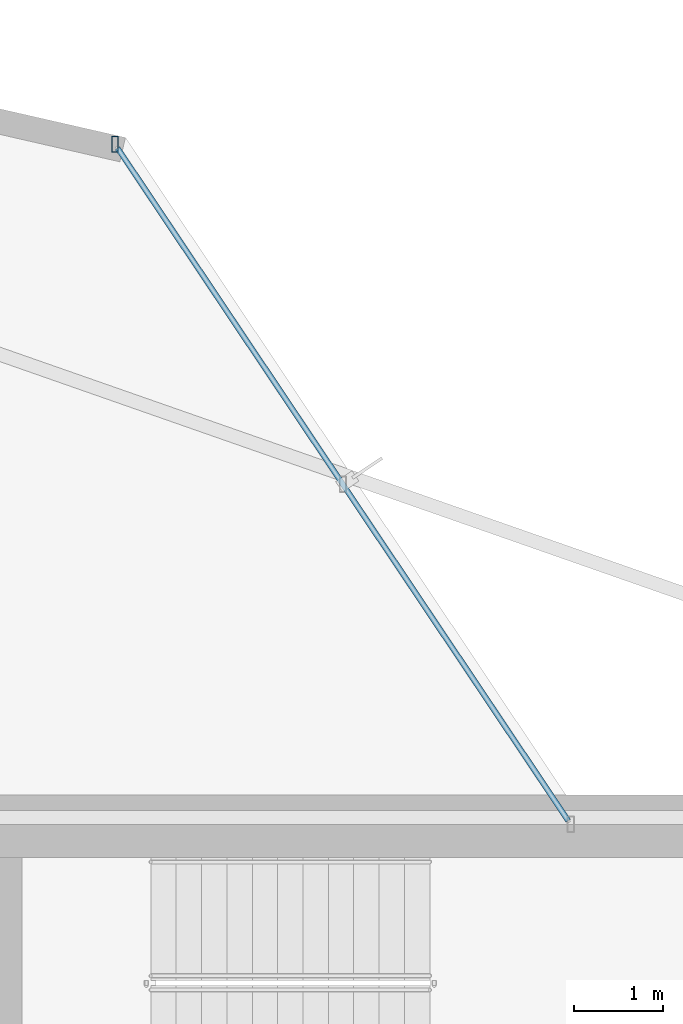
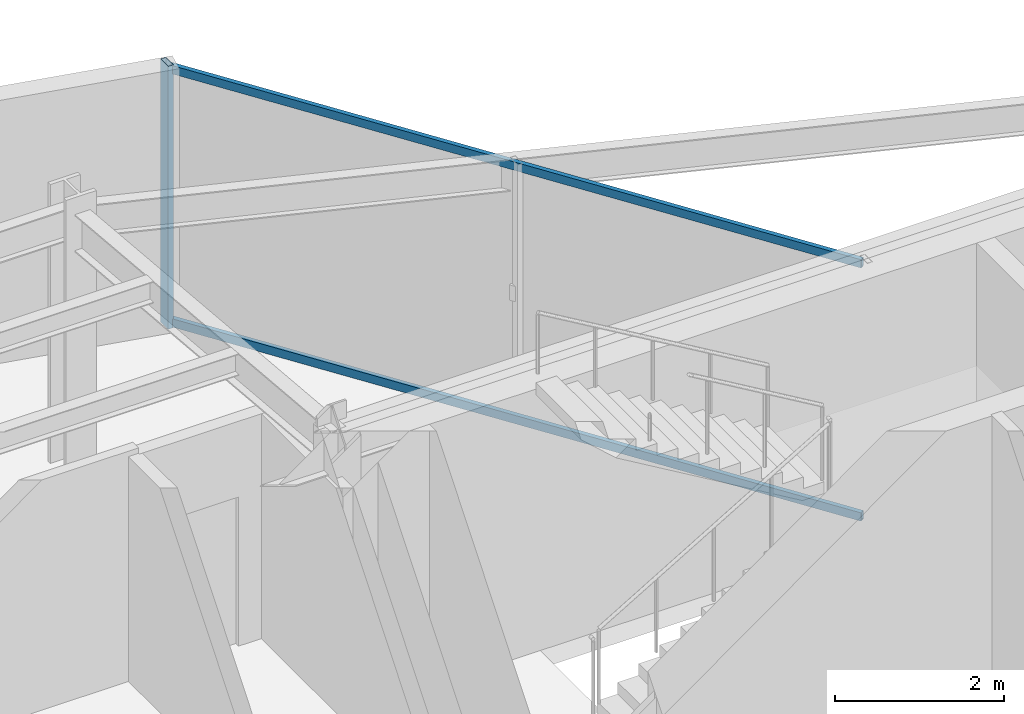
# One storey, part 13 of 22: 3 members, 1 element without a shape of its own.
"""IFC4 building model written with IfcOpenShell, lengths in metres."""

import ifcopenshell
import ifcopenshell.guid

model = None  # the IFC model being written
_history = None  # IfcOwnerHistory: only IFC2X3 demands one
_inside = {}  # id of a spatial element -> (the spatial element, [elements in it])
_under = {}  # id of a project, library or spatial element -> (it, [spatial elements below it])
_declared = {}  # id of a project -> (the project, [libraries it declares])
_typed = {}  # id of a type object -> (the type object, [elements of that type])
_made_of = {}  # id of a material, layer set ... -> (it, [elements and type objects made of it])


def new_model(schema):
    """Start an empty IFC model of exactly this schema.

    Asked for "IFC4X3", IfcOpenShell would pick the latest addendum, in which some entities
    have other attributes; the version numbers below select the first issue.
    IFC2X3 requires an IfcOwnerHistory on every rooted entity: one is made here for all.
    """
    global model, _history
    if schema == "IFC4X3":
        model = ifcopenshell.file(schema_version=(4, 3, 0, 0))
    else:
        model = ifcopenshell.file(schema=schema)
    _inside.clear()
    _under.clear()
    _declared.clear()
    _typed.clear()
    _made_of.clear()
    _history = None
    if model.schema == "IFC2X3":
        org = make("IfcOrganization", Name="unknown")
        user = make(
            "IfcPersonAndOrganization",
            ThePerson=make("IfcPerson", FamilyName="unknown"),
            TheOrganization=org,
        )
        app = make(
            "IfcApplication",
            ApplicationDeveloper=org,
            Version="unknown",
            ApplicationFullName="unknown",
            ApplicationIdentifier="unknown",
        )
        _history = make(
            "IfcOwnerHistory",
            OwningUser=user,
            OwningApplication=app,
            ChangeAction="ADDED",
            CreationDate=0,
        )
    return model


def make(cls, **values):
    """One entity of the class cls with the attributes given. An attribute that is None is left unset."""
    return model.create_entity(
        cls, **{name: value for name, value in values.items() if value is not None}
    )


def rooted(cls, **values):
    """An entity with a GlobalId (a new one), such as an element, a storey or a relation."""
    return make(cls, GlobalId=ifcopenshell.guid.new(), OwnerHistory=_history, **values)


def si_unit(unit_type, name, prefix=None):
    """IfcSIUnit, for example si_unit("LENGTHUNIT", "METRE", prefix="MILLI")."""
    return make("IfcSIUnit", UnitType=unit_type, Prefix=prefix, Name=name)


def assignment(units):
    """IfcUnitAssignment: the units of a project."""
    return None if units is None else make("IfcUnitAssignment", Units=units)


def point(xyz):
    """IfcCartesianPoint."""
    return None if xyz is None else make("IfcCartesianPoint", Coordinates=xyz)


def direction(xyz):
    """IfcDirection."""
    return None if xyz is None else make("IfcDirection", DirectionRatios=xyz)


def frame(location, z_axis=None, x_axis=None):
    """IfcAxis2Placement3D, a coordinate frame: its origin and axes. An axis left out is left unset."""
    return make(
        "IfcAxis2Placement3D",
        Location=point(location),
        Axis=direction(z_axis),
        RefDirection=direction(x_axis),
    )


def frame_2d(location, x_axis=None):
    """IfcAxis2Placement2D, a coordinate frame in the plane: its origin and x axis."""
    return make(
        "IfcAxis2Placement2D", Location=point(location), RefDirection=direction(x_axis)
    )


def origin():
    """The frame at (0, 0, 0) with its axes left unset."""
    return frame((0.0, 0.0, 0.0))


def origin_2d():
    """The frame at (0, 0) in the plane with its x axis left unset."""
    return frame_2d((0.0, 0.0))


def place(relative_to, where):
    """IfcLocalPlacement: puts the frame where relative to a parent placement (None: the world)."""
    return make(
        "IfcLocalPlacement", PlacementRelTo=relative_to, RelativePlacement=where
    )


def context(
    kind, dimensions, precision=None, world=None, true_north=None, identifier=None
):
    """IfcGeometricRepresentationContext, for example the 3D "Model" context."""
    return make(
        "IfcGeometricRepresentationContext",
        ContextIdentifier=identifier,
        ContextType=kind,
        CoordinateSpaceDimension=dimensions,
        Precision=precision,
        WorldCoordinateSystem=world,
        TrueNorth=true_north,
    )


def subcontext(parent, identifier, kind, view, scale=None):
    """IfcGeometricRepresentationSubContext, for example "Body" below "Model"."""
    return make(
        "IfcGeometricRepresentationSubContext",
        ContextIdentifier=identifier,
        ContextType=kind,
        ParentContext=parent,
        TargetScale=scale,
        TargetView=view,
    )


def project(units=None, contexts=None):
    """IfcProject with its units and contexts."""
    return rooted(
        "IfcProject",
        Name="project",
        RepresentationContexts=contexts,
        UnitsInContext=assignment(units),
    )


def spatial(cls, under=None, at=None, **own):
    """A site, building, storey or space (cls), placed at a placement, below another one or the project."""
    s = rooted(cls, ObjectPlacement=at, **own)
    if under is not None:
        _under.setdefault(under.id(), (under, []))[1].append(s)
    return s


def profile(cls, at=None, kind="AREA", **sizes):
    """A parametric profile (cls). Its sizes go by their IFC names, for example OverallWidth=200.0."""
    return make(cls, ProfileType=kind, Position=at, **sizes)


def hollow_rectangle(**sizes):
    """IfcRectangleHollowProfileDef."""
    return profile("IfcRectangleHollowProfileDef", **sizes)


def extrude(swept, where, along, depth):
    """IfcExtrudedAreaSolid: the profile swept, set in the frame where, extruded along a direction by depth."""
    return make(
        "IfcExtrudedAreaSolid",
        SweptArea=swept,
        Position=where,
        ExtrudedDirection=direction(along),
        Depth=depth,
    )


def shape(context_of_items, identifier, shape_type, items):
    """IfcShapeRepresentation: the items that make up one representation, for example the "Body"."""
    return make(
        "IfcShapeRepresentation",
        ContextOfItems=context_of_items,
        RepresentationIdentifier=identifier,
        RepresentationType=shape_type,
        Items=items,
    )


def material(Name=None, Category=None):
    """IfcMaterial."""
    return make("IfcMaterial", Name=Name, Category=Category)


def layer(
    of_material, thickness, ventilated=None, Name=None, Category=None, Priority=None
):
    """IfcMaterialLayer: one layer of a wall or slab, of a material (None: an air gap)."""
    return make(
        "IfcMaterialLayer",
        Material=of_material,
        LayerThickness=thickness,
        IsVentilated=ventilated,
        Name=Name,
        Category=Category,
        Priority=Priority,
    )


def layer_set(layers, Name=None):
    """IfcMaterialLayerSet."""
    return make("IfcMaterialLayerSet", MaterialLayers=layers, LayerSetName=Name)


def material_profile(
    of_material, cross_section, Name=None, Category=None, Priority=None
):
    """IfcMaterialProfile: a cross section and its material."""
    return make(
        "IfcMaterialProfile",
        Name=Name,
        Material=of_material,
        Profile=cross_section,
        Priority=Priority,
        Category=Category,
    )


def profile_set(profiles, Name=None, composite=None):
    """IfcMaterialProfileSet."""
    return make(
        "IfcMaterialProfileSet",
        Name=Name,
        MaterialProfiles=profiles,
        CompositeProfile=composite,
    )


def made_of(thing, what):
    """Note that an element or type object is made of a material, layer set ...; save() writes the relation."""
    if what is not None:
        _made_of.setdefault(what.id(), (what, []))[1].append(thing)
    return thing


def type_object(cls, material=None, **own):
    """A type object (cls), such as IfcWallType, which elements share."""
    return made_of(rooted(cls, **own), material)


def element(
    cls,
    number,
    at=None,
    inside=None,
    cuts=None,
    type_object=None,
    material=None,
    context=None,
    identifier="Body",
    shape_type=None,
    held_by="IfcProductDefinitionShape",
    body=None,
    shapes=None,
    **own,
):
    """One element of the class cls, such as IfcWall. Its Tag is "e" and its number.

    at: its placement. inside: the storey or other place that contains it. cuts: it is an
    opening in that element (IfcRelVoidsElement). A single representation is given by context,
    identifier, shape_type and body (its items); several are given by shapes. held_by: the class
    of the entity that holds the representations. save() writes the other relations.
    """
    e = rooted(cls, Tag="e%d" % number, ObjectPlacement=at, **own)
    if body is not None:
        shapes = [shape(context, identifier, shape_type, body)]
    if shapes is not None:
        e.Representation = make(held_by, Representations=shapes)
    if inside is not None:
        _inside.setdefault(inside.id(), (inside, []))[1].append(e)
    if cuts is not None:
        rooted(
            "IfcRelVoidsElement", RelatingBuildingElement=cuts, RelatedOpeningElement=e
        )
    if type_object is not None:
        _typed.setdefault(type_object.id(), (type_object, []))[1].append(e)
    return made_of(e, material)


def aggregate(whole, parts):
    """IfcRelAggregates: a whole, such as a stair, and the parts it consists of."""
    return rooted("IfcRelAggregates", RelatingObject=whole, RelatedObjects=parts)


def save(model, path):
    """Write the relations noted so far, then the file.

    IfcRelAggregates (storeys below a building ...), IfcRelContainedInSpatialStructure (elements
    in a storey), IfcRelDefinesByType, IfcRelAssociatesMaterial and IfcRelDeclares: one each for
    every whole, place, type object, material and project.
    """
    for whole, parts in _under.values():
        aggregate(whole, parts)
    for where, things in _inside.values():
        rooted(
            "IfcRelContainedInSpatialStructure",
            RelatedElements=things,
            RelatingStructure=where,
        )
    for kind, things in _typed.values():
        rooted("IfcRelDefinesByType", RelatedObjects=things, RelatingType=kind)
    for what, things in _made_of.values():
        rooted("IfcRelAssociatesMaterial", RelatedObjects=things, RelatingMaterial=what)
    for by, libraries in _declared.values():
        rooted("IfcRelDeclares", RelatingContext=by, RelatedDefinitions=libraries)
    model.write(path)


model = new_model("IFC4")

# Units and contexts
model_context = context("Model", 3, precision=1e-05, world=origin(), true_north=direction((0.0, 1.0)))
body_context = subcontext(model_context, "Body", "Model", "MODEL_VIEW")
ifc_project = project(units=[si_unit("LENGTHUNIT", "METRE"), si_unit("AREAUNIT", "SQUARE_METRE"), si_unit("VOLUMEUNIT", "CUBIC_METRE"), si_unit("PLANEANGLEUNIT", "RADIAN"), si_unit("MASSUNIT", "GRAM", prefix="KILO")], contexts=[model_context])

# Site, building, storey
site_placement = place(None, origin())
site = spatial("IfcSite", under=ifc_project, at=site_placement, CompositionType="ELEMENT")
building_placement = place(site_placement, origin())
building = spatial("IfcBuilding", under=site, at=building_placement, Name="Veymaron Broadcast Tower", CompositionType="ELEMENT")
storey_placement = place(building_placement, frame((0.0, 0.0, 208.050048828125)))
storey = spatial("IfcBuildingStorey", under=building, at=storey_placement, Name="L48", CompositionType="ELEMENT", Elevation=208.050048828125)

# Curtain wall, members
ifc_material_1 = material(Name="Anodised aluminium AA 6063-T6 and laminated low-E dark glass", Category="aluminium")
ifc_layer = layer(ifc_material_1, 0.179931640625)
ifc_layer_set = layer_set([ifc_layer], Name="Anodised aluminium AA 6063-T6 and laminated low-E dark glass")
curtain_wall_type = type_object("IfcCurtainWallType", Name="CW-SYS-05", PredefinedType="NOTDEFINED", material=ifc_layer_set)
curtain_wall_placement = place(storey_placement, origin())
curtain_wall = element("IfcCurtainWall", 1, at=curtain_wall_placement, inside=storey, type_object=curtain_wall_type, Name="L48 dark-glass curtain wall CW-L48-E5-1", PredefinedType="NOTDEFINED")
ifc_material_2 = material(Name="Anodised aluminium AA 6063-T6", Category="aluminium")
ifc_material_profile_1 = material_profile(ifc_material_2, hollow_rectangle(XDim=0.074951171875, YDim=0.179931640625, WallThickness=0.0048828125, at=origin_2d()), Name="AL180X75X5")
ifc_profile_set_1 = profile_set([ifc_material_profile_1], Name="Anodised aluminium AA 6063-T6")
member_type_1 = type_object("IfcMemberType", Name="CW-MUL-02", PredefinedType="MULLION", material=ifc_profile_set_1)
member_1_placement = place(storey_placement, frame((41.0283203125, 39.56201171875, 0.0), z_axis=(0.0, 0.0, 1.0), x_axis=(1.0, 0.0, 0.0)))
member_1 = element("IfcMember", 2, at=member_1_placement, type_object=member_type_1, Name="CW-L48-E5-1 mullion 2", PredefinedType="MULLION", context=body_context, shape_type="SweptSolid", body=[
    extrude(hollow_rectangle(XDim=0.074951171875, YDim=0.179931640625, WallThickness=0.0048828125, at=origin_2d()), origin(), (0.0, 0.0, 1.0), 3.7900390625),
])
ifc_material_profile_2 = material_profile(ifc_material_2, hollow_rectangle(XDim=0.06005859375, YDim=0.1201171875, WallThickness=0.00390625, at=origin_2d()), Name="AL120X60X4")
ifc_profile_set_2 = profile_set([ifc_material_profile_2], Name="Anodised aluminium AA 6063-T6")
member_type_2 = type_object("IfcMemberType", Name="CW-TRN-02", PredefinedType="USERDEFINED", material=ifc_profile_set_2)
member_2_placement = place(storey_placement, frame((46.119873046875, 31.963623046875, 0.070068359375), z_axis=(-0.556680529668, 0.83072666256, 0.0), x_axis=(-0.83072666256, -0.556680529668, 0.0)))
member_2 = element("IfcMember", 3, at=member_2_placement, type_object=member_type_2, Name="CW-L48-E5-1 transom B", ObjectType="TRANSOM", PredefinedType="USERDEFINED", context=body_context, shape_type="SweptSolid", body=[
    extrude(hollow_rectangle(XDim=0.06005859375, YDim=0.1201171875, WallThickness=0.00390625, at=origin_2d()), origin(), (0.0, 0.0, 1.0), 9.0966796875),
])
member_3_placement = place(storey_placement, frame((46.119873046875, 31.963623046875, 3.719970703125), z_axis=(-0.556680529668, 0.83072666256, 0.0), x_axis=(-0.83072666256, -0.556680529668, 0.0)))
member_3 = element("IfcMember", 4, at=member_3_placement, type_object=member_type_2, Name="CW-L48-E5-1 transom T", ObjectType="TRANSOM", PredefinedType="USERDEFINED", context=body_context, shape_type="SweptSolid", body=[
    extrude(hollow_rectangle(XDim=0.06005859375, YDim=0.1201171875, WallThickness=0.00390625, at=origin_2d()), origin(), (0.0, 0.0, 1.0), 9.0966796875),
])
aggregate(curtain_wall, [member_1, member_2, member_3])

save(model, "model.ifc")
